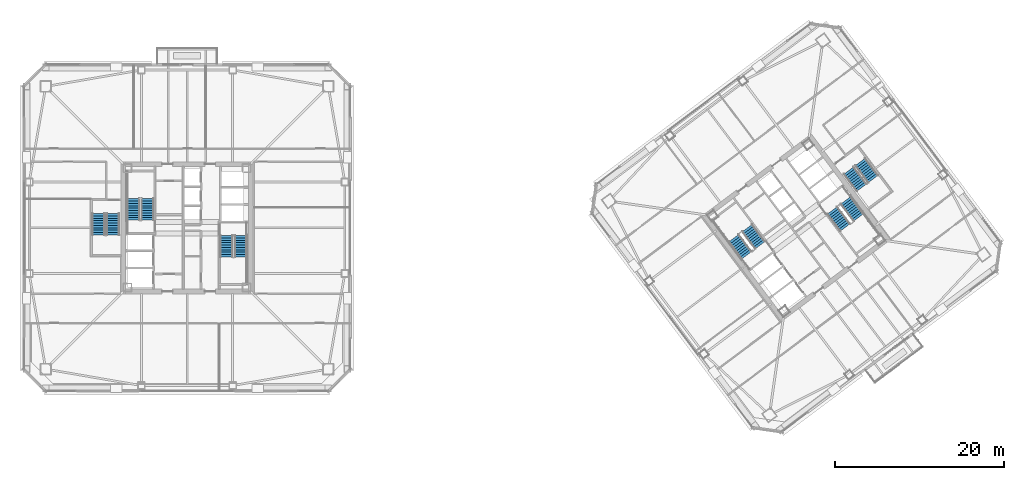
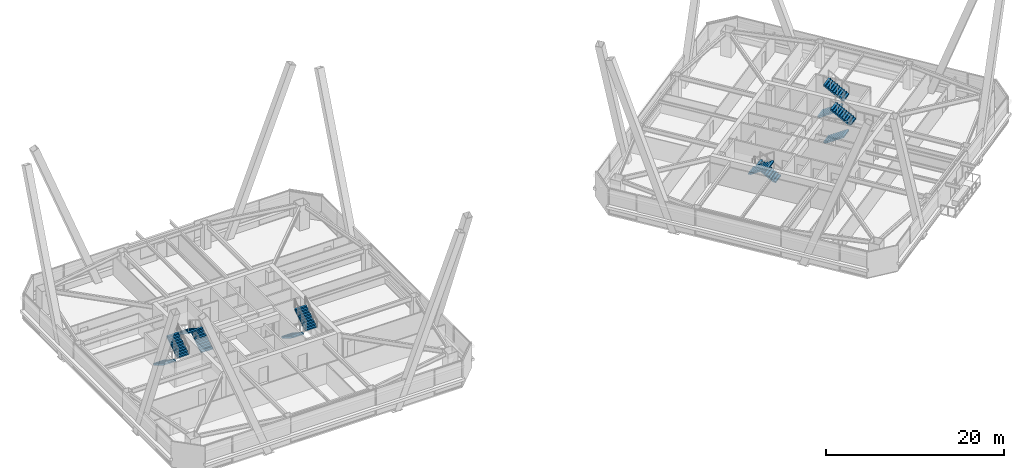
# One storey, part 48 of 54: 12 stair flights, 6 elements without a shape of their own.
"""IFC4 building model written with IfcOpenShell, lengths in metres."""

import ifcopenshell
import ifcopenshell.guid

model = None  # the IFC model being written
_history = None  # IfcOwnerHistory: only IFC2X3 demands one
_inside = {}  # id of a spatial element -> (the spatial element, [elements in it])
_under = {}  # id of a project, library or spatial element -> (it, [spatial elements below it])
_declared = {}  # id of a project -> (the project, [libraries it declares])
_typed = {}  # id of a type object -> (the type object, [elements of that type])
_made_of = {}  # id of a material, layer set ... -> (it, [elements and type objects made of it])


def new_model(schema):
    """Start an empty IFC model of exactly this schema.

    Asked for "IFC4X3", IfcOpenShell would pick the latest addendum, in which some entities
    have other attributes; the version numbers below select the first issue.
    IFC2X3 requires an IfcOwnerHistory on every rooted entity: one is made here for all.
    """
    global model, _history
    if schema == "IFC4X3":
        model = ifcopenshell.file(schema_version=(4, 3, 0, 0))
    else:
        model = ifcopenshell.file(schema=schema)
    _inside.clear()
    _under.clear()
    _declared.clear()
    _typed.clear()
    _made_of.clear()
    _history = None
    if model.schema == "IFC2X3":
        org = make("IfcOrganization", Name="unknown")
        user = make(
            "IfcPersonAndOrganization",
            ThePerson=make("IfcPerson", FamilyName="unknown"),
            TheOrganization=org,
        )
        app = make(
            "IfcApplication",
            ApplicationDeveloper=org,
            Version="unknown",
            ApplicationFullName="unknown",
            ApplicationIdentifier="unknown",
        )
        _history = make(
            "IfcOwnerHistory",
            OwningUser=user,
            OwningApplication=app,
            ChangeAction="ADDED",
            CreationDate=0,
        )
    return model


def make(cls, **values):
    """One entity of the class cls with the attributes given. An attribute that is None is left unset."""
    return model.create_entity(
        cls, **{name: value for name, value in values.items() if value is not None}
    )


def rooted(cls, **values):
    """An entity with a GlobalId (a new one), such as an element, a storey or a relation."""
    return make(cls, GlobalId=ifcopenshell.guid.new(), OwnerHistory=_history, **values)


def si_unit(unit_type, name, prefix=None):
    """IfcSIUnit, for example si_unit("LENGTHUNIT", "METRE", prefix="MILLI")."""
    return make("IfcSIUnit", UnitType=unit_type, Prefix=prefix, Name=name)


def assignment(units):
    """IfcUnitAssignment: the units of a project."""
    return None if units is None else make("IfcUnitAssignment", Units=units)


def point(xyz):
    """IfcCartesianPoint."""
    return None if xyz is None else make("IfcCartesianPoint", Coordinates=xyz)


def direction(xyz):
    """IfcDirection."""
    return None if xyz is None else make("IfcDirection", DirectionRatios=xyz)


def frame(location, z_axis=None, x_axis=None):
    """IfcAxis2Placement3D, a coordinate frame: its origin and axes. An axis left out is left unset."""
    return make(
        "IfcAxis2Placement3D",
        Location=point(location),
        Axis=direction(z_axis),
        RefDirection=direction(x_axis),
    )


def origin():
    """The frame at (0, 0, 0) with its axes left unset."""
    return frame((0.0, 0.0, 0.0))


def place(relative_to, where):
    """IfcLocalPlacement: puts the frame where relative to a parent placement (None: the world)."""
    return make(
        "IfcLocalPlacement", PlacementRelTo=relative_to, RelativePlacement=where
    )


def context(
    kind, dimensions, precision=None, world=None, true_north=None, identifier=None
):
    """IfcGeometricRepresentationContext, for example the 3D "Model" context."""
    return make(
        "IfcGeometricRepresentationContext",
        ContextIdentifier=identifier,
        ContextType=kind,
        CoordinateSpaceDimension=dimensions,
        Precision=precision,
        WorldCoordinateSystem=world,
        TrueNorth=true_north,
    )


def subcontext(parent, identifier, kind, view, scale=None):
    """IfcGeometricRepresentationSubContext, for example "Body" below "Model"."""
    return make(
        "IfcGeometricRepresentationSubContext",
        ContextIdentifier=identifier,
        ContextType=kind,
        ParentContext=parent,
        TargetScale=scale,
        TargetView=view,
    )


def project(units=None, contexts=None):
    """IfcProject with its units and contexts."""
    return rooted(
        "IfcProject",
        Name="project",
        RepresentationContexts=contexts,
        UnitsInContext=assignment(units),
    )


def spatial(cls, under=None, at=None, **own):
    """A site, building, storey or space (cls), placed at a placement, below another one or the project."""
    s = rooted(cls, ObjectPlacement=at, **own)
    if under is not None:
        _under.setdefault(under.id(), (under, []))[1].append(s)
    return s


def polyline(points):
    """IfcPolyline through the points."""
    return make("IfcPolyline", Points=[point(p) for p in points])


def outline(outer, holes=None, kind="AREA"):
    """IfcArbitraryClosedProfileDef: a profile drawn as a closed curve; with holes, ...WithVoids."""
    if holes is None:
        return make("IfcArbitraryClosedProfileDef", ProfileType=kind, OuterCurve=outer)
    return make(
        "IfcArbitraryProfileDefWithVoids",
        ProfileType=kind,
        OuterCurve=outer,
        InnerCurves=holes,
    )


def extrude(swept, where, along, depth):
    """IfcExtrudedAreaSolid: the profile swept, set in the frame where, extruded along a direction by depth."""
    return make(
        "IfcExtrudedAreaSolid",
        SweptArea=swept,
        Position=where,
        ExtrudedDirection=direction(along),
        Depth=depth,
    )


def shape(context_of_items, identifier, shape_type, items):
    """IfcShapeRepresentation: the items that make up one representation, for example the "Body"."""
    return make(
        "IfcShapeRepresentation",
        ContextOfItems=context_of_items,
        RepresentationIdentifier=identifier,
        RepresentationType=shape_type,
        Items=items,
    )


def material(Name=None, Category=None):
    """IfcMaterial."""
    return make("IfcMaterial", Name=Name, Category=Category)


def made_of(thing, what):
    """Note that an element or type object is made of a material, layer set ...; save() writes the relation."""
    if what is not None:
        _made_of.setdefault(what.id(), (what, []))[1].append(thing)
    return thing


def type_object(cls, material=None, **own):
    """A type object (cls), such as IfcWallType, which elements share."""
    return made_of(rooted(cls, **own), material)


def element(
    cls,
    number,
    at=None,
    inside=None,
    cuts=None,
    type_object=None,
    material=None,
    context=None,
    identifier="Body",
    shape_type=None,
    held_by="IfcProductDefinitionShape",
    body=None,
    shapes=None,
    **own,
):
    """One element of the class cls, such as IfcWall. Its Tag is "e" and its number.

    at: its placement. inside: the storey or other place that contains it. cuts: it is an
    opening in that element (IfcRelVoidsElement). A single representation is given by context,
    identifier, shape_type and body (its items); several are given by shapes. held_by: the class
    of the entity that holds the representations. save() writes the other relations.
    """
    e = rooted(cls, Tag="e%d" % number, ObjectPlacement=at, **own)
    if body is not None:
        shapes = [shape(context, identifier, shape_type, body)]
    if shapes is not None:
        e.Representation = make(held_by, Representations=shapes)
    if inside is not None:
        _inside.setdefault(inside.id(), (inside, []))[1].append(e)
    if cuts is not None:
        rooted(
            "IfcRelVoidsElement", RelatingBuildingElement=cuts, RelatedOpeningElement=e
        )
    if type_object is not None:
        _typed.setdefault(type_object.id(), (type_object, []))[1].append(e)
    return made_of(e, material)


def aggregate(whole, parts):
    """IfcRelAggregates: a whole, such as a stair, and the parts it consists of."""
    return rooted("IfcRelAggregates", RelatingObject=whole, RelatedObjects=parts)


def save(model, path):
    """Write the relations noted so far, then the file.

    IfcRelAggregates (storeys below a building ...), IfcRelContainedInSpatialStructure (elements
    in a storey), IfcRelDefinesByType, IfcRelAssociatesMaterial and IfcRelDeclares: one each for
    every whole, place, type object, material and project.
    """
    for whole, parts in _under.values():
        aggregate(whole, parts)
    for where, things in _inside.values():
        rooted(
            "IfcRelContainedInSpatialStructure",
            RelatedElements=things,
            RelatingStructure=where,
        )
    for kind, things in _typed.values():
        rooted("IfcRelDefinesByType", RelatedObjects=things, RelatingType=kind)
    for what, things in _made_of.values():
        rooted("IfcRelAssociatesMaterial", RelatedObjects=things, RelatingMaterial=what)
    for by, libraries in _declared.values():
        rooted("IfcRelDeclares", RelatingContext=by, RelatedDefinitions=libraries)
    model.write(path)


model = new_model("IFC4")

# Units and contexts
model_context = context("Model", 3, precision=1e-05, world=origin(), true_north=direction((0.0, 1.0)))
body_context = subcontext(model_context, "Body", "Model", "MODEL_VIEW")
ifc_project = project(units=[si_unit("LENGTHUNIT", "METRE"), si_unit("AREAUNIT", "SQUARE_METRE"), si_unit("VOLUMEUNIT", "CUBIC_METRE"), si_unit("PLANEANGLEUNIT", "RADIAN"), si_unit("MASSUNIT", "GRAM", prefix="KILO")], contexts=[model_context])

# Site, building, storey
site_placement = place(None, origin())
site = spatial("IfcSite", under=ifc_project, at=site_placement, CompositionType="ELEMENT")
building_placement = place(site_placement, origin())
building = spatial("IfcBuilding", under=site, at=building_placement, Name="Tashvorn Skyway Center", CompositionType="ELEMENT")
storey_placement = place(building_placement, frame((0.0, 0.0, 135.699951171875)))
storey = spatial("IfcBuildingStorey", under=building, at=storey_placement, Name="L36", CompositionType="ELEMENT", Elevation=135.699951171875)

# Stair, stair flights
ifc_material = material(Name="Concrete C40/50", Category="concrete")
stair_type = type_object("IfcStairType", Name="STAIR-CORE-1500", PredefinedType="HALF_TURN_STAIR", material=ifc_material)
stair_1_placement = place(storey_placement, origin())
stair_1 = element("IfcStair", 1, at=stair_1_placement, inside=storey, type_object=stair_type, Name="L36 Tower 1 Exit Stair 1", PredefinedType="HALF_TURN_STAIR")
stair_flight_type = type_object("IfcStairFlightType", Name="SFLIGHT-1500", PredefinedType="STRAIGHT", material=ifc_material)
stair_flight_1_placement = place(storey_placement, frame((37.35009765625, 32.919921875, 0.0), z_axis=(0.0, 0.0, 1.0), x_axis=(0.0, 1.0, 0.0)))
stair_flight_1 = element("IfcStairFlight", 2, at=stair_flight_1_placement, type_object=stair_flight_type, Name="ST-T1-1 flight 1", NumberOfRisers=10, NumberOfTreads=9, PredefinedType="STRAIGHT", RiserHeight=0.1775, TreadLength=0.28, context=body_context, shape_type="SweptSolid", body=[
    extrude(outline(polyline([(0.0, 0.0), (0.0, 0.177490234375), (0.280029296875, 0.177490234375), (0.280029296875, 0.35498046875), (0.56005859375, 0.35498046875), (0.56005859375, 0.532470703125), (0.840087890625, 0.532470703125), (0.840087890625, 0.7099609375), (1.1201171875, 0.7099609375), (1.1201171875, 0.887451171875), (1.39990234375, 0.887451171875), (1.39990234375, 1.06494140625), (1.679931640625, 1.06494140625), (1.679931640625, 1.242431640625), (1.9599609375, 1.242431640625), (1.9599609375, 1.419921875), (2.239990234375, 1.419921875), (2.239990234375, 1.597412109375), (2.52001953125, 1.597412109375), (2.52001953125, 1.77490234375), (2.52001953125, 1.419921875), (0.280029296875, 0.0), (0.0, 0.0)])), frame((0.0, 0.75, 0.0), z_axis=(0.0, -1.0, 0.0), x_axis=(1.0, 0.0, 0.0)), (0.0, 0.0, 1.0), 1.5),
])
stair_flight_2_placement = place(storey_placement, frame((35.64990234375, 35.43994140625, 1.775146484375), z_axis=(0.0, 0.0, 1.0), x_axis=(0.0, -1.0, 0.0)))
stair_flight_2 = element("IfcStairFlight", 3, at=stair_flight_2_placement, type_object=stair_flight_type, Name="ST-T1-1 flight 2", NumberOfRisers=10, NumberOfTreads=9, PredefinedType="STRAIGHT", RiserHeight=0.1775, TreadLength=0.28, context=body_context, shape_type="SweptSolid", body=[
    extrude(outline(polyline([(0.0, 0.0), (0.0, 0.177490234375), (0.280029296875, 0.177490234375), (0.280029296875, 0.35498046875), (0.56005859375, 0.35498046875), (0.56005859375, 0.532470703125), (0.840087890625, 0.532470703125), (0.840087890625, 0.7099609375), (1.1201171875, 0.7099609375), (1.1201171875, 0.887451171875), (1.39990234375, 0.887451171875), (1.39990234375, 1.06494140625), (1.679931640625, 1.06494140625), (1.679931640625, 1.242431640625), (1.9599609375, 1.242431640625), (1.9599609375, 1.419921875), (2.239990234375, 1.419921875), (2.239990234375, 1.597412109375), (2.52001953125, 1.597412109375), (2.52001953125, 1.77490234375), (2.52001953125, 1.419921875), (0.280029296875, 0.0), (0.0, 0.0)])), frame((0.0, 0.75, 0.0), z_axis=(0.0, -1.0, 0.0), x_axis=(1.0, 0.0, 0.0)), (0.0, 0.0, 1.0), 1.5),
])
aggregate(stair_1, [stair_flight_1, stair_flight_2])

stair_2_placement = place(storey_placement, origin())
stair_2 = element("IfcStair", 4, at=stair_2_placement, inside=storey, type_object=stair_type, Name="L36 Tower 1 Exit Stair 2", PredefinedType="HALF_TURN_STAIR")
stair_flight_3_placement = place(storey_placement, frame((46.64990234375, 31.080078125, 0.0), z_axis=(0.0, 0.0, 1.0), x_axis=(0.0, -1.0, 0.0)))
stair_flight_3 = element("IfcStairFlight", 5, at=stair_flight_3_placement, type_object=stair_flight_type, Name="ST-T1-2 flight 1", NumberOfRisers=10, NumberOfTreads=9, PredefinedType="STRAIGHT", RiserHeight=0.1775, TreadLength=0.28, context=body_context, shape_type="SweptSolid", body=[
    extrude(outline(polyline([(0.0, 0.0), (0.0, 0.177490234375), (0.280029296875, 0.177490234375), (0.280029296875, 0.35498046875), (0.56005859375, 0.35498046875), (0.56005859375, 0.532470703125), (0.840087890625, 0.532470703125), (0.840087890625, 0.7099609375), (1.1201171875, 0.7099609375), (1.1201171875, 0.887451171875), (1.39990234375, 0.887451171875), (1.39990234375, 1.06494140625), (1.679931640625, 1.06494140625), (1.679931640625, 1.242431640625), (1.9599609375, 1.242431640625), (1.9599609375, 1.419921875), (2.239990234375, 1.419921875), (2.239990234375, 1.597412109375), (2.52001953125, 1.597412109375), (2.52001953125, 1.77490234375), (2.52001953125, 1.419921875), (0.280029296875, 0.0), (0.0, 0.0)])), frame((0.0, 0.75, 0.0), z_axis=(0.0, -1.0, 0.0), x_axis=(1.0, 0.0, 0.0)), (0.0, 0.0, 1.0), 1.5),
])
stair_flight_4_placement = place(storey_placement, frame((48.35009765625, 28.56005859375, 1.775146484375), z_axis=(0.0, 0.0, 1.0), x_axis=(0.0, 1.0, 0.0)))
stair_flight_4 = element("IfcStairFlight", 6, at=stair_flight_4_placement, type_object=stair_flight_type, Name="ST-T1-2 flight 2", NumberOfRisers=10, NumberOfTreads=9, PredefinedType="STRAIGHT", RiserHeight=0.1775, TreadLength=0.28, context=body_context, shape_type="SweptSolid", body=[
    extrude(outline(polyline([(0.0, 0.0), (0.0, 0.177490234375), (0.280029296875, 0.177490234375), (0.280029296875, 0.35498046875), (0.56005859375, 0.35498046875), (0.56005859375, 0.532470703125), (0.840087890625, 0.532470703125), (0.840087890625, 0.7099609375), (1.1201171875, 0.7099609375), (1.1201171875, 0.887451171875), (1.39990234375, 0.887451171875), (1.39990234375, 1.06494140625), (1.679931640625, 1.06494140625), (1.679931640625, 1.242431640625), (1.9599609375, 1.242431640625), (1.9599609375, 1.419921875), (2.239990234375, 1.419921875), (2.239990234375, 1.597412109375), (2.52001953125, 1.597412109375), (2.52001953125, 1.77490234375), (2.52001953125, 1.419921875), (0.280029296875, 0.0), (0.0, 0.0)])), frame((0.0, 0.75, 0.0), z_axis=(0.0, -1.0, 0.0), x_axis=(1.0, 0.0, 0.0)), (0.0, 0.0, 1.0), 1.5),
])
aggregate(stair_2, [stair_flight_3, stair_flight_4])

stair_3_placement = place(storey_placement, origin())
stair_3 = element("IfcStair", 7, at=stair_3_placement, inside=storey, type_object=stair_type, Name="L36 Tower 2 Exit Stair 1", PredefinedType="HALF_TURN_STAIR")
stair_flight_5_placement = place(storey_placement, frame((109.72802734375, 29.946044921875, 0.0), z_axis=(0.0, 0.0, 1.0), x_axis=(-0.600000004945, 0.799999996291, 0.0)))
stair_flight_5 = element("IfcStairFlight", 8, at=stair_flight_5_placement, type_object=stair_flight_type, Name="ST-T2-1 flight 1", NumberOfRisers=10, NumberOfTreads=9, PredefinedType="STRAIGHT", RiserHeight=0.1775, TreadLength=0.28, context=body_context, shape_type="SweptSolid", body=[
    extrude(outline(polyline([(0.0, 0.0), (0.0, 0.177490234375), (0.280029296875, 0.177490234375), (0.280029296875, 0.35498046875), (0.56005859375, 0.35498046875), (0.56005859375, 0.532470703125), (0.840087890625, 0.532470703125), (0.840087890625, 0.7099609375), (1.1201171875, 0.7099609375), (1.1201171875, 0.887451171875), (1.39990234375, 0.887451171875), (1.39990234375, 1.06494140625), (1.679931640625, 1.06494140625), (1.679931640625, 1.242431640625), (1.9599609375, 1.242431640625), (1.9599609375, 1.419921875), (2.239990234375, 1.419921875), (2.239990234375, 1.597412109375), (2.52001953125, 1.597412109375), (2.52001953125, 1.77490234375), (2.52001953125, 1.419921875), (0.280029296875, 0.0), (0.0, 0.0)])), frame((0.0, 0.75, 0.0), z_axis=(0.0, -1.0, 0.0), x_axis=(1.0, 0.0, 0.0)), (0.0, 0.0, 1.0), 1.5),
])
stair_flight_6_placement = place(storey_placement, frame((106.632080078125, 30.77392578125, 1.775146484375), z_axis=(0.0, 0.0, 1.0), x_axis=(0.600000004945, -0.799999996291, 0.0)))
stair_flight_6 = element("IfcStairFlight", 9, at=stair_flight_6_placement, type_object=stair_flight_type, Name="ST-T2-1 flight 2", NumberOfRisers=10, NumberOfTreads=9, PredefinedType="STRAIGHT", RiserHeight=0.1775, TreadLength=0.28, context=body_context, shape_type="SweptSolid", body=[
    extrude(outline(polyline([(0.0, 0.0), (0.0, 0.177490234375), (0.280029296875, 0.177490234375), (0.280029296875, 0.35498046875), (0.56005859375, 0.35498046875), (0.56005859375, 0.532470703125), (0.840087890625, 0.532470703125), (0.840087890625, 0.7099609375), (1.1201171875, 0.7099609375), (1.1201171875, 0.887451171875), (1.39990234375, 0.887451171875), (1.39990234375, 1.06494140625), (1.679931640625, 1.06494140625), (1.679931640625, 1.242431640625), (1.9599609375, 1.242431640625), (1.9599609375, 1.419921875), (2.239990234375, 1.419921875), (2.239990234375, 1.597412109375), (2.52001953125, 1.597412109375), (2.52001953125, 1.77490234375), (2.52001953125, 1.419921875), (0.280029296875, 0.0), (0.0, 0.0)])), frame((0.0, 0.75, 0.0), z_axis=(0.0, -1.0, 0.0), x_axis=(1.0, 0.0, 0.0)), (0.0, 0.0, 1.0), 1.5),
])
aggregate(stair_3, [stair_flight_5, stair_flight_6])

stair_4_placement = place(storey_placement, origin())
stair_4 = element("IfcStair", 10, at=stair_4_placement, inside=storey, type_object=stair_type, Name="L36 Tower 2 Exit Stair 2", PredefinedType="HALF_TURN_STAIR")
stair_flight_7_placement = place(storey_placement, frame((118.27197265625, 34.053955078125, 0.0), z_axis=(0.0, 0.0, 1.0), x_axis=(0.600000004945, -0.799999996291, 0.0)))
stair_flight_7 = element("IfcStairFlight", 11, at=stair_flight_7_placement, type_object=stair_flight_type, Name="ST-T2-2 flight 1", NumberOfRisers=10, NumberOfTreads=9, PredefinedType="STRAIGHT", RiserHeight=0.1775, TreadLength=0.28, context=body_context, shape_type="SweptSolid", body=[
    extrude(outline(polyline([(0.0, 0.0), (0.0, 0.177490234375), (0.280029296875, 0.177490234375), (0.280029296875, 0.35498046875), (0.56005859375, 0.35498046875), (0.56005859375, 0.532470703125), (0.840087890625, 0.532470703125), (0.840087890625, 0.7099609375), (1.1201171875, 0.7099609375), (1.1201171875, 0.887451171875), (1.39990234375, 0.887451171875), (1.39990234375, 1.06494140625), (1.679931640625, 1.06494140625), (1.679931640625, 1.242431640625), (1.9599609375, 1.242431640625), (1.9599609375, 1.419921875), (2.239990234375, 1.419921875), (2.239990234375, 1.597412109375), (2.52001953125, 1.597412109375), (2.52001953125, 1.77490234375), (2.52001953125, 1.419921875), (0.280029296875, 0.0), (0.0, 0.0)])), frame((0.0, 0.75, 0.0), z_axis=(0.0, -1.0, 0.0), x_axis=(1.0, 0.0, 0.0)), (0.0, 0.0, 1.0), 1.5),
])
stair_flight_8_placement = place(storey_placement, frame((121.367919921875, 33.22607421875, 1.775146484375), z_axis=(0.0, 0.0, 1.0), x_axis=(-0.600000004945, 0.799999996291, 0.0)))
stair_flight_8 = element("IfcStairFlight", 12, at=stair_flight_8_placement, type_object=stair_flight_type, Name="ST-T2-2 flight 2", NumberOfRisers=10, NumberOfTreads=9, PredefinedType="STRAIGHT", RiserHeight=0.1775, TreadLength=0.28, context=body_context, shape_type="SweptSolid", body=[
    extrude(outline(polyline([(0.0, 0.0), (0.0, 0.177490234375), (0.280029296875, 0.177490234375), (0.280029296875, 0.35498046875), (0.56005859375, 0.35498046875), (0.56005859375, 0.532470703125), (0.840087890625, 0.532470703125), (0.840087890625, 0.7099609375), (1.1201171875, 0.7099609375), (1.1201171875, 0.887451171875), (1.39990234375, 0.887451171875), (1.39990234375, 1.06494140625), (1.679931640625, 1.06494140625), (1.679931640625, 1.242431640625), (1.9599609375, 1.242431640625), (1.9599609375, 1.419921875), (2.239990234375, 1.419921875), (2.239990234375, 1.597412109375), (2.52001953125, 1.597412109375), (2.52001953125, 1.77490234375), (2.52001953125, 1.419921875), (0.280029296875, 0.0), (0.0, 0.0)])), frame((0.0, 0.75, 0.0), z_axis=(0.0, -1.0, 0.0), x_axis=(1.0, 0.0, 0.0)), (0.0, 0.0, 1.0), 1.5),
])
aggregate(stair_4, [stair_flight_7, stair_flight_8])

stair_5_placement = place(storey_placement, origin())
stair_5 = element("IfcStair", 13, at=stair_5_placement, inside=storey, type_object=stair_type, Name="L36 Tower 1 Exit Stair 3", PredefinedType="HALF_TURN_STAIR")
stair_flight_9_placement = place(storey_placement, frame((31.550048828125, 33.679931640625, 0.0), z_axis=(0.0, 0.0, 1.0), x_axis=(0.0, -1.0, 0.0)))
stair_flight_9 = element("IfcStairFlight", 14, at=stair_flight_9_placement, type_object=stair_flight_type, Name="ST-T1-3 flight 1", NumberOfRisers=10, NumberOfTreads=9, PredefinedType="STRAIGHT", RiserHeight=0.1775, TreadLength=0.28, context=body_context, shape_type="SweptSolid", body=[
    extrude(outline(polyline([(0.0, 0.0), (0.0, 0.177490234375), (0.280029296875, 0.177490234375), (0.280029296875, 0.35498046875), (0.56005859375, 0.35498046875), (0.56005859375, 0.532470703125), (0.840087890625, 0.532470703125), (0.840087890625, 0.7099609375), (1.1201171875, 0.7099609375), (1.1201171875, 0.887451171875), (1.39990234375, 0.887451171875), (1.39990234375, 1.06494140625), (1.679931640625, 1.06494140625), (1.679931640625, 1.242431640625), (1.9599609375, 1.242431640625), (1.9599609375, 1.419921875), (2.239990234375, 1.419921875), (2.239990234375, 1.597412109375), (2.52001953125, 1.597412109375), (2.52001953125, 1.77490234375), (2.52001953125, 1.419921875), (0.280029296875, 0.0), (0.0, 0.0)])), frame((0.0, 0.75, 0.0), z_axis=(0.0, -1.0, 0.0), x_axis=(1.0, 0.0, 0.0)), (0.0, 0.0, 1.0), 1.5),
])
stair_flight_10_placement = place(storey_placement, frame((33.25, 31.159912109375, 1.775146484375), z_axis=(0.0, 0.0, 1.0), x_axis=(0.0, 1.0, 0.0)))
stair_flight_10 = element("IfcStairFlight", 15, at=stair_flight_10_placement, type_object=stair_flight_type, Name="ST-T1-3 flight 2", NumberOfRisers=10, NumberOfTreads=9, PredefinedType="STRAIGHT", RiserHeight=0.1775, TreadLength=0.28, context=body_context, shape_type="SweptSolid", body=[
    extrude(outline(polyline([(0.0, 0.0), (0.0, 0.177490234375), (0.280029296875, 0.177490234375), (0.280029296875, 0.35498046875), (0.56005859375, 0.35498046875), (0.56005859375, 0.532470703125), (0.840087890625, 0.532470703125), (0.840087890625, 0.7099609375), (1.1201171875, 0.7099609375), (1.1201171875, 0.887451171875), (1.39990234375, 0.887451171875), (1.39990234375, 1.06494140625), (1.679931640625, 1.06494140625), (1.679931640625, 1.242431640625), (1.9599609375, 1.242431640625), (1.9599609375, 1.419921875), (2.239990234375, 1.419921875), (2.239990234375, 1.597412109375), (2.52001953125, 1.597412109375), (2.52001953125, 1.77490234375), (2.52001953125, 1.419921875), (0.280029296875, 0.0), (0.0, 0.0)])), frame((0.0, 0.75, 0.0), z_axis=(0.0, -1.0, 0.0), x_axis=(1.0, 0.0, 0.0)), (0.0, 0.0, 1.0), 1.5),
])
aggregate(stair_5, [stair_flight_9, stair_flight_10])

stair_6_placement = place(storey_placement, origin())
stair_6 = element("IfcStair", 16, at=stair_6_placement, inside=storey, type_object=stair_type, Name="L36 Tower 2 Exit Stair 3", PredefinedType="HALF_TURN_STAIR")
stair_flight_11_placement = place(storey_placement, frame((120.216064453125, 38.761962890625, 0.0), z_axis=(0.0, 0.0, 1.0), x_axis=(0.600000004945, -0.799999996291, 0.0)))
stair_flight_11 = element("IfcStairFlight", 17, at=stair_flight_11_placement, type_object=stair_flight_type, Name="ST-T2-3 flight 1", NumberOfRisers=10, NumberOfTreads=9, PredefinedType="STRAIGHT", RiserHeight=0.1775, TreadLength=0.28, context=body_context, shape_type="SweptSolid", body=[
    extrude(outline(polyline([(0.0, 0.0), (0.0, 0.177490234375), (0.280029296875, 0.177490234375), (0.280029296875, 0.35498046875), (0.56005859375, 0.35498046875), (0.56005859375, 0.532470703125), (0.840087890625, 0.532470703125), (0.840087890625, 0.7099609375), (1.1201171875, 0.7099609375), (1.1201171875, 0.887451171875), (1.39990234375, 0.887451171875), (1.39990234375, 1.06494140625), (1.679931640625, 1.06494140625), (1.679931640625, 1.242431640625), (1.9599609375, 1.242431640625), (1.9599609375, 1.419921875), (2.239990234375, 1.419921875), (2.239990234375, 1.597412109375), (2.52001953125, 1.597412109375), (2.52001953125, 1.77490234375), (2.52001953125, 1.419921875), (0.280029296875, 0.0), (0.0, 0.0)])), frame((0.0, 0.75, 0.0), z_axis=(0.0, -1.0, 0.0), x_axis=(1.0, 0.0, 0.0)), (0.0, 0.0, 1.0), 1.5),
])
stair_flight_12_placement = place(storey_placement, frame((123.087890625, 37.76611328125, 1.775146484375), z_axis=(0.0, 0.0, 1.0), x_axis=(-0.600000004945, 0.799999996291, 0.0)))
stair_flight_12 = element("IfcStairFlight", 18, at=stair_flight_12_placement, type_object=stair_flight_type, Name="ST-T2-3 flight 2", NumberOfRisers=10, NumberOfTreads=9, PredefinedType="STRAIGHT", RiserHeight=0.1775, TreadLength=0.28, context=body_context, shape_type="SweptSolid", body=[
    extrude(outline(polyline([(0.0, 0.0), (0.0, 0.177490234375), (0.280029296875, 0.177490234375), (0.280029296875, 0.35498046875), (0.56005859375, 0.35498046875), (0.56005859375, 0.532470703125), (0.840087890625, 0.532470703125), (0.840087890625, 0.7099609375), (1.1201171875, 0.7099609375), (1.1201171875, 0.887451171875), (1.39990234375, 0.887451171875), (1.39990234375, 1.06494140625), (1.679931640625, 1.06494140625), (1.679931640625, 1.242431640625), (1.9599609375, 1.242431640625), (1.9599609375, 1.419921875), (2.239990234375, 1.419921875), (2.239990234375, 1.597412109375), (2.52001953125, 1.597412109375), (2.52001953125, 1.77490234375), (2.52001953125, 1.419921875), (0.280029296875, 0.0), (0.0, 0.0)])), frame((0.0, 0.75, 0.0), z_axis=(0.0, -1.0, 0.0), x_axis=(1.0, 0.0, 0.0)), (0.0, 0.0, 1.0), 1.5),
])
aggregate(stair_6, [stair_flight_11, stair_flight_12])

save(model, "model.ifc")
